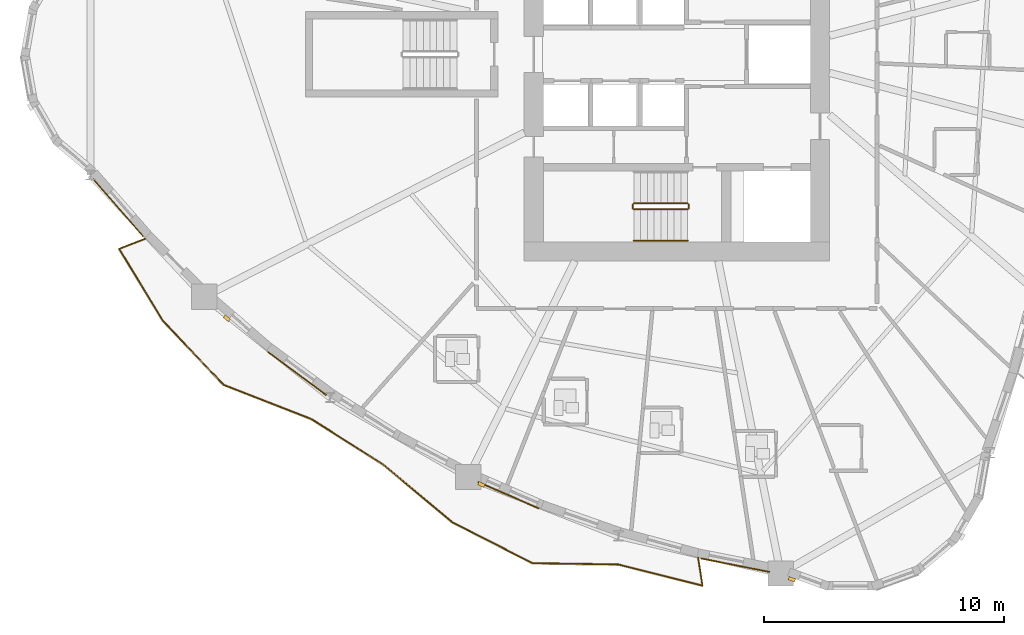
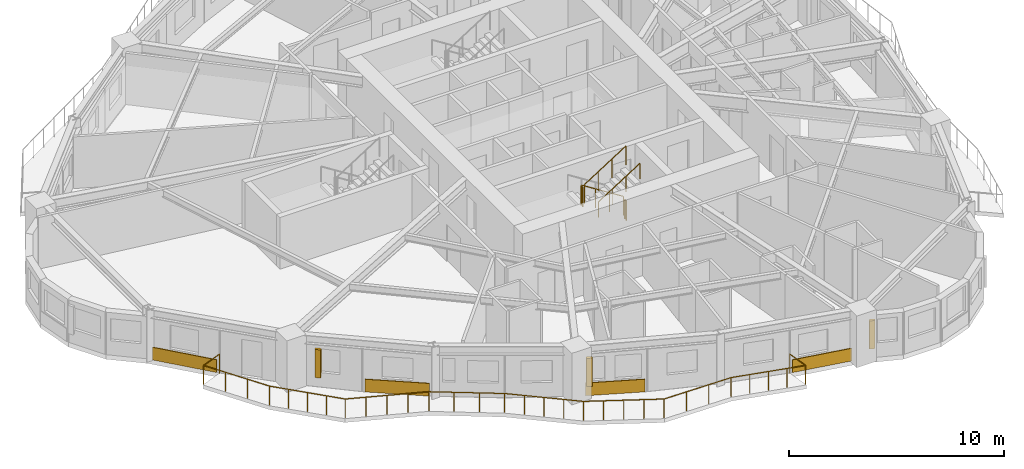
# One storey, part 10 of 14: 6 railings, 4 coverings, 3 shading devices.
"""IFC4 building model written with IfcOpenShell, lengths in metres."""

from ifc_helpers import new_model, si_unit, direction, frame, origin, origin_2d, place, context, subcontext, project, spatial, rectangle, circle, extrude, source, transform, mapped, material, layer, layer_set, type_object, element, save


model = new_model("IFC4")

# Units and contexts
model_context = context("Model", 3, precision=1e-05, world=origin(), true_north=direction((0.0, 1.0)))
body_context = subcontext(model_context, "Body", "Model", "MODEL_VIEW")
ifc_project = project(units=[si_unit("LENGTHUNIT", "METRE"), si_unit("AREAUNIT", "SQUARE_METRE"), si_unit("VOLUMEUNIT", "CUBIC_METRE"), si_unit("PLANEANGLEUNIT", "RADIAN"), si_unit("MASSUNIT", "GRAM", prefix="KILO")], contexts=[model_context])

# Site, building, storey
site_placement = place(None, origin())
site = spatial("IfcSite", under=ifc_project, at=site_placement, CompositionType="ELEMENT")
building_placement = place(site_placement, origin())
building = spatial("IfcBuilding", under=site, at=building_placement, Name="Qafzar Sky-Pleat Residences", CompositionType="ELEMENT")
storey_placement = place(building_placement, frame((0.0, 0.0, 23.800048828125)))
storey = spatial("IfcBuildingStorey", under=building, at=storey_placement, Name="L06", CompositionType="ELEMENT", Elevation=23.800048828125)

# Shading devices
ifc_material_1 = material(Name="Honed Riyadh limestone solar fin", Category="masonry")
ifc_layer_1 = layer(ifc_material_1, 0.139892578125)
ifc_layer_set_1 = layer_set([ifc_layer_1], Name="Honed Riyadh limestone solar fin")
shading_device_type = type_object("IfcShadingDeviceType", Name="SHD-FIN-STONE", PredefinedType="SHUTTER", material=ifc_layer_set_1)
shared_shape_1 = source(origin(), body_context, "Body", "SweptSolid", [
    extrude(rectangle(XDim=0.139892578125, YDim=0.280029296875, at=origin_2d()), origin(), (0.0, 0.0, 1.0), 1.60009765625),
])
for number, where, z_axis, x_axis, name in (
    (1, (11.630126953125, 15.019287109375, 0.599853515625), (0.0, 0.0, 1.0), (-0.65284819166, -0.757488771301, 0.0), "L06 Limestone Solar Fin 9"),
    (2, (22.21728515625, 8.102783203125, 0.599853515625), (0.0, 0.0, 1.0), (-0.398680095478, -0.917090061809, 0.0), "L06 Limestone Solar Fin 13"),
    (3, (35.13525390625, 4.159423828125, 0.599853515625), (0.0, 0.0, 1.0), (-0.342010122116, -0.939696268148, 0.0), "L06 Limestone Solar Fin 17"),
):
    element("IfcShadingDevice", number, at=place(storey_placement, frame(where, z_axis=z_axis, x_axis=x_axis)), inside=storey, type_object=shading_device_type, Name=name, PredefinedType="SHUTTER", context=body_context, shape_type="MappedRepresentation", body=[
        mapped(shared_shape_1, transform((0.0, 0.0, 0.0), x_axis=(1.0, 0.0, 0.0), y_axis=(0.0, 1.0, 0.0), z_axis=(0.0, 0.0, 1.0), scale=1.0)),
    ])

# Railing
ifc_material_2 = material(Name="Laminated glass and bronze steel balustrade", Category="steel")
railing_type_1 = type_object("IfcRailingType", Name="RAIL-BAL-1100", PredefinedType="BALUSTRADE", material=ifc_material_2)
shared_shape_2 = source(origin(), body_context, "Body", "SweptSolid", [
    extrude(circle(Radius=0.02392578125, at=origin_2d()), frame((0.0, 0.0, 1.076171875), z_axis=(-0.932230081544, -0.361866101017, 0.0), x_axis=(0.361866101017, -0.932230081544, 0.0)), (0.0, 0.0, 1.0), 1.177978515625),
    extrude(circle(Radius=0.02392578125, at=origin_2d()), frame((-1.09814453125, -0.42626953125, 1.076171875), z_axis=(0.519661726711, -0.854372102653, 0.0), x_axis=(0.854372102653, 0.519661726711, 0.0)), (0.0, 0.0, 1.0), 3.50341796875),
    extrude(circle(Radius=0.02392578125, at=origin_2d()), frame((0.722412109375, -3.41943359375, 1.076171875), z_axis=(0.687709565512, -0.725985918254, 0.0), x_axis=(0.725985918254, 0.687709565512, 0.0)), (0.0, 0.0, 1.0), 3.66748046875),
    extrude(circle(Radius=0.02392578125, at=origin_2d()), frame((3.24462890625, -6.08203125, 1.076171875), z_axis=(0.93144750127, -0.363875737552, 0.0), x_axis=(0.363875737552, 0.93144750127, 0.0)), (0.0, 0.0, 1.0), 3.9384765625),
    extrude(circle(Radius=0.02392578125, at=origin_2d()), frame((6.9130859375, -7.51513671875, 1.076171875), z_axis=(0.844773218855, -0.535124479636, 0.0), x_axis=(0.535124479636, 0.844773218855, 0.0)), (0.0, 0.0, 1.0), 3.52978515625),
    extrude(circle(Radius=0.02392578125, at=origin_2d()), frame((9.89501953125, -9.404052734375, 1.076171875), z_axis=(0.766833441336, -0.64184614453, 0.0), x_axis=(0.64184614453, 0.766833441336, 0.0)), (0.0, 0.0, 1.0), 3.72509765625),
    extrude(circle(Radius=0.02392578125, at=origin_2d()), frame((12.75146484375, -11.794921875, 1.076171875), z_axis=(0.890692057988, -0.454607146707, 0.0), x_axis=(0.454607146707, 0.890692057988, 0.0)), (0.0, 0.0, 1.0), 3.756591796875),
    extrude(circle(Radius=0.02392578125, at=origin_2d()), frame((16.097412109375, -13.502685546875, 1.076171875), z_axis=(0.999890937839, -0.014768629826, 0.0), x_axis=(0.014768629826, 0.999890937839, 0.0)), (0.0, 0.0, 1.0), 3.57080078125),
    extrude(circle(Radius=0.02392578125, at=origin_2d()), frame((19.667724609375, -13.555419921875, 1.076171875), z_axis=(0.969791216595, -0.243936459379, 0.0), x_axis=(0.243936459379, 0.969791216595, 0.0)), (0.0, 0.0, 1.0), 3.60791015625),
    extrude(circle(Radius=0.02392578125, at=origin_2d()), frame((23.166748046875, -14.435546875, 1.076171875), z_axis=(-0.152555587296, 0.988294891611, 0.0), x_axis=(-0.988294891611, -0.152555587296, 0.0)), (0.0, 0.0, 1.0), 1.177734375),
    extrude(circle(Radius=0.02099609375, at=origin_2d()), origin(), (0.0, 0.0, 1.0), 1.052001953125),
    extrude(circle(Radius=0.02099609375, at=origin_2d()), frame((-1.09814453125, -0.42626953125, 0.0)), (0.0, 0.0, 1.0), 1.052001953125),
    extrude(circle(Radius=0.02099609375, at=origin_2d()), frame((-0.4912109375, -1.424072265625, 0.0)), (0.0, 0.0, 1.0), 1.052001953125),
    extrude(circle(Radius=0.02099609375, at=origin_2d()), frame((0.115478515625, -2.421630859375, 0.0)), (0.0, 0.0, 1.0), 1.052001953125),
    extrude(circle(Radius=0.02099609375, at=origin_2d()), frame((0.722412109375, -3.41943359375, 0.0)), (0.0, 0.0, 1.0), 1.052001953125),
    extrude(circle(Radius=0.02099609375, at=origin_2d()), frame((1.35302734375, -4.0849609375, 0.0)), (0.0, 0.0, 1.0), 1.052001953125),
    extrude(circle(Radius=0.02099609375, at=origin_2d()), frame((1.9833984375, -4.750732421875, 0.0)), (0.0, 0.0, 1.0), 1.052001953125),
    extrude(circle(Radius=0.02099609375, at=origin_2d()), frame((2.614013671875, -5.41650390625, 0.0)), (0.0, 0.0, 1.0), 1.052001953125),
    extrude(circle(Radius=0.02099609375, at=origin_2d()), frame((3.24462890625, -6.08203125, 0.0)), (0.0, 0.0, 1.0), 1.052001953125),
    extrude(circle(Radius=0.02099609375, at=origin_2d()), frame((4.16162109375, -6.4404296875, 0.0)), (0.0, 0.0, 1.0), 1.052001953125),
    extrude(circle(Radius=0.02099609375, at=origin_2d()), frame((5.078857421875, -6.798583984375, 0.0)), (0.0, 0.0, 1.0), 1.052001953125),
    extrude(circle(Radius=0.02099609375, at=origin_2d()), frame((5.99609375, -7.15673828125, 0.0)), (0.0, 0.0, 1.0), 1.052001953125),
    extrude(circle(Radius=0.02099609375, at=origin_2d()), frame((6.9130859375, -7.51513671875, 0.0)), (0.0, 0.0, 1.0), 1.052001953125),
    extrude(circle(Radius=0.02099609375, at=origin_2d()), frame((7.906982421875, -8.144775390625, 0.0)), (0.0, 0.0, 1.0), 1.052001953125),
    extrude(circle(Radius=0.02099609375, at=origin_2d()), frame((8.901123046875, -8.7744140625, 0.0)), (0.0, 0.0, 1.0), 1.052001953125),
    extrude(circle(Radius=0.02099609375, at=origin_2d()), frame((9.89501953125, -9.404052734375, 0.0)), (0.0, 0.0, 1.0), 1.052001953125),
    extrude(circle(Radius=0.02099609375, at=origin_2d()), frame((10.609130859375, -10.001708984375, 0.0)), (0.0, 0.0, 1.0), 1.052001953125),
    extrude(circle(Radius=0.02099609375, at=origin_2d()), frame((11.3232421875, -10.599609375, 0.0)), (0.0, 0.0, 1.0), 1.052001953125),
    extrude(circle(Radius=0.02099609375, at=origin_2d()), frame((12.037353515625, -11.197265625, 0.0)), (0.0, 0.0, 1.0), 1.052001953125),
    extrude(circle(Radius=0.02099609375, at=origin_2d()), frame((12.75146484375, -11.794921875, 0.0)), (0.0, 0.0, 1.0), 1.052001953125),
    extrude(circle(Radius=0.02099609375, at=origin_2d()), frame((13.587890625, -12.221923828125, 0.0)), (0.0, 0.0, 1.0), 1.052001953125),
    extrude(circle(Radius=0.02099609375, at=origin_2d()), frame((14.42431640625, -12.64892578125, 0.0)), (0.0, 0.0, 1.0), 1.052001953125),
    extrude(circle(Radius=0.02099609375, at=origin_2d()), frame((15.260986328125, -13.07568359375, 0.0)), (0.0, 0.0, 1.0), 1.052001953125),
    extrude(circle(Radius=0.02099609375, at=origin_2d()), frame((16.097412109375, -13.502685546875, 0.0)), (0.0, 0.0, 1.0), 1.052001953125),
    extrude(circle(Radius=0.02099609375, at=origin_2d()), frame((17.28759765625, -13.520263671875, 0.0)), (0.0, 0.0, 1.0), 1.052001953125),
    extrude(circle(Radius=0.02099609375, at=origin_2d()), frame((18.4775390625, -13.537841796875, 0.0)), (0.0, 0.0, 1.0), 1.052001953125),
    extrude(circle(Radius=0.02099609375, at=origin_2d()), frame((19.667724609375, -13.555419921875, 0.0)), (0.0, 0.0, 1.0), 1.052001953125),
    extrude(circle(Radius=0.02099609375, at=origin_2d()), frame((20.54248046875, -13.775390625, 0.0)), (0.0, 0.0, 1.0), 1.052001953125),
    extrude(circle(Radius=0.02099609375, at=origin_2d()), frame((21.417236328125, -13.99560546875, 0.0)), (0.0, 0.0, 1.0), 1.052001953125),
    extrude(circle(Radius=0.02099609375, at=origin_2d()), frame((22.2919921875, -14.215576171875, 0.0)), (0.0, 0.0, 1.0), 1.052001953125),
    extrude(circle(Radius=0.02099609375, at=origin_2d()), frame((23.166748046875, -14.435546875, 0.0)), (0.0, 0.0, 1.0), 1.052001953125),
    extrude(circle(Radius=0.02099609375, at=origin_2d()), frame((22.987060546875, -13.271484375, 0.0)), (0.0, 0.0, 1.0), 1.052001953125),
])
railing_1_placement = place(storey_placement, frame((8.24853515625, 18.33251953125, 0.0)))
element("IfcRailing", 4, at=railing_1_placement, inside=storey, type_object=railing_type_1, Name="L06 Pleated Balcony 3 Balustrade", PredefinedType="BALUSTRADE", context=body_context, shape_type="MappedRepresentation", body=[
    mapped(shared_shape_2, transform((0.0, 0.0, 0.0), x_axis=(1.0, 0.0, 0.0), y_axis=(0.0, 1.0, 0.0), z_axis=(0.0, 0.0, 1.0), scale=1.0)),
])

# Coverings
ifc_material_3 = material(Name="Honed Riyadh Tuwaiq limestone cladding", Category="masonry")
ifc_layer_2 = layer(ifc_material_3, 0.044921875)
ifc_layer_set_2 = layer_set([ifc_layer_2], Name="Honed Riyadh Tuwaiq limestone cladding")
covering_type = type_object("IfcCoveringType", Name="COV-CLAD-STONE", PredefinedType="CLADDING", material=ifc_layer_set_2)
shared_shape_3 = source(origin(), body_context, "Body", "SweptSolid", [
    extrude(rectangle(XDim=3.17041015625, YDim=0.044921875, at=origin_2d()), origin(), (0.0, 0.0, 1.0), 0.719970703125),
])
covering_1_placement = place(storey_placement, frame((7.10986328125, 19.62060546875, 0.02001953125), z_axis=(0.0, 0.0, 1.0), x_axis=(0.65762184778, -0.753348196602, 0.0)))
element("IfcCovering", 5, at=covering_1_placement, inside=storey, type_object=covering_type, Name="L06 Riyadh Limestone Spandrel Cladding 7", PredefinedType="CLADDING", context=body_context, shape_type="MappedRepresentation", body=[
    mapped(shared_shape_3, transform((0.0, 0.0, 0.0), x_axis=(1.0, 0.0, 0.0), y_axis=(0.0, 1.0, 0.0), z_axis=(0.0, 0.0, 1.0), scale=1.0)),
])
shared_shape_4 = source(origin(), body_context, "Body", "SweptSolid", [
    extrude(rectangle(XDim=3.02001953125, YDim=0.044921875, at=origin_2d()), origin(), (0.0, 0.0, 1.0), 0.719970703125),
])
covering_2_placement = place(storey_placement, frame((14.55224609375, 12.71826171875, 0.02001953125), z_axis=(0.0, 0.0, 1.0), x_axis=(0.803806841776, -0.594890377393, 0.0)))
element("IfcCovering", 6, at=covering_2_placement, inside=storey, type_object=covering_type, Name="L06 Riyadh Limestone Spandrel Cladding 10", PredefinedType="CLADDING", context=body_context, shape_type="MappedRepresentation", body=[
    mapped(shared_shape_4, transform((0.0, 0.0, 0.0), x_axis=(1.0, 0.0, 0.0), y_axis=(0.0, 1.0, 0.0), z_axis=(0.0, 0.0, 1.0), scale=1.0)),
])
shared_shape_5 = source(origin(), body_context, "Body", "SweptSolid", [
    extrude(rectangle(XDim=2.76806640625, YDim=0.044921875, at=origin_2d()), origin(), (0.0, 0.0, 1.0), 0.719970703125),
])
covering_3_placement = place(storey_placement, frame((23.35009765625, 7.656982421875, 0.02001953125), z_axis=(0.0, 0.0, 1.0), x_axis=(0.917082462129, -0.398697576686, 0.0)))
element("IfcCovering", 7, at=covering_3_placement, inside=storey, type_object=covering_type, Name="L06 Riyadh Limestone Spandrel Cladding 13", PredefinedType="CLADDING", context=body_context, shape_type="MappedRepresentation", body=[
    mapped(shared_shape_5, transform((0.0, 0.0, 0.0), x_axis=(1.0, 0.0, 0.0), y_axis=(0.0, 1.0, 0.0), z_axis=(0.0, 0.0, 1.0), scale=1.0)),
])
shared_shape_6 = source(origin(), body_context, "Body", "SweptSolid", [
    extrude(rectangle(XDim=2.918212890625, YDim=0.044921875, at=origin_2d()), origin(), (0.0, 0.0, 1.0), 0.719970703125),
])
covering_4_placement = place(storey_placement, frame((32.783203125, 4.745849609375, 0.02001953125), z_axis=(0.0, 0.0, 1.0), x_axis=(0.981229963497, -0.192841278608, 0.0)))
element("IfcCovering", 8, at=covering_4_placement, inside=storey, type_object=covering_type, Name="L06 Riyadh Limestone Spandrel Cladding 16", PredefinedType="CLADDING", context=body_context, shape_type="MappedRepresentation", body=[
    mapped(shared_shape_6, transform((0.0, 0.0, 0.0), x_axis=(1.0, 0.0, 0.0), y_axis=(0.0, 1.0, 0.0), z_axis=(0.0, 0.0, 1.0), scale=1.0)),
])

# Railings
ifc_material_4 = material(Name="Painted Steel S355 stair guardrail", Category="steel")
railing_type_2 = type_object("IfcRailingType", Name="RAIL-STAIR-GUARD", PredefinedType="GUARDRAIL", material=ifc_material_4)
shared_shape_7 = source(origin(), body_context, "Body", "SweptSolid", [
    extrude(circle(Radius=0.02392578125, at=origin_2d()), frame((0.0, 0.0, 1.076171875), z_axis=(0.0, -1.0, 0.0), x_axis=(1.0, 0.0, 0.0)), (0.0, 0.0, 1.0), 0.14990234375),
    extrude(circle(Radius=0.02099609375, at=origin_2d()), origin(), (0.0, 0.0, 1.0), 1.052001953125),
    extrude(circle(Radius=0.02099609375, at=origin_2d()), frame((0.0, -0.14990234375, 0.0)), (0.0, 0.0, 1.0), 1.052001953125),
])
for number, where, name in (
    (9, (28.510009765625, 19.75, 1.599853515625), "L06 ST1 stair guard 2"),
    (10, (30.85009765625, 19.75, 0.0), "L06 ST1 stair guard 4"),
):
    element("IfcRailing", number, at=place(storey_placement, frame(where)), inside=storey, type_object=railing_type_2, Name=name, PredefinedType="GUARDRAIL", context=body_context, shape_type="MappedRepresentation", body=[
        mapped(shared_shape_7, transform((0.0, 0.0, 0.0), x_axis=(1.0, 0.0, 0.0), y_axis=(0.0, 1.0, 0.0), z_axis=(0.0, 0.0, 1.0), scale=1.0)),
    ])
shared_shape_8 = source(origin(), body_context, "Body", "SweptSolid", [
    extrude(circle(Radius=0.02392578125, at=origin_2d()), frame((0.0, 0.0, 1.076171875), z_axis=(-0.8442293374, 0.0, 0.53598211339), x_axis=(0.0, -1.0, 0.0)), (0.0, 0.0, 1.0), 2.6533203125),
    extrude(circle(Radius=0.02099609375, at=origin_2d()), origin(), (0.0, 0.0, 1.0), 1.052001953125),
    extrude(circle(Radius=0.02099609375, at=origin_2d()), frame((-0.74658203125, 0.0, 0.47412109375)), (0.0, 0.0, 1.0), 1.052001953125),
    extrude(circle(Radius=0.02099609375, at=origin_2d()), frame((-1.493408203125, 0.0, 0.947998046875)), (0.0, 0.0, 1.0), 1.052001953125),
    extrude(circle(Radius=0.02099609375, at=origin_2d()), frame((-2.239990234375, 0.0, 1.422119140625)), (0.0, 0.0, 1.0), 1.052001953125),
])
railing_2_placement = place(storey_placement, frame((30.800048828125, 19.800048828125, 0.177734375)))
element("IfcRailing", 11, at=railing_2_placement, inside=storey, type_object=railing_type_2, Name="L06 ST1 stair guard 1", PredefinedType="GUARDRAIL", context=body_context, shape_type="MappedRepresentation", body=[
    mapped(shared_shape_8, transform((0.0, 0.0, 0.0), x_axis=(1.0, 0.0, 0.0), y_axis=(0.0, 1.0, 0.0), z_axis=(0.0, 0.0, 1.0), scale=1.0)),
])
shared_shape_9 = source(origin(), body_context, "Body", "SweptSolid", [
    extrude(circle(Radius=0.02392578125, at=origin_2d()), frame((0.0, 0.0, 1.076171875), z_axis=(0.8442293374, 0.0, 0.53598211339), x_axis=(0.0, 1.0, 0.0)), (0.0, 0.0, 1.0), 2.6533203125),
    extrude(circle(Radius=0.02099609375, at=origin_2d()), origin(), (0.0, 0.0, 1.0), 1.052001953125),
    extrude(circle(Radius=0.02099609375, at=origin_2d()), frame((0.74658203125, 0.0, 0.47412109375)), (0.0, 0.0, 1.0), 1.052001953125),
    extrude(circle(Radius=0.02099609375, at=origin_2d()), frame((1.493408203125, 0.0, 0.947998046875)), (0.0, 0.0, 1.0), 1.052001953125),
    extrude(circle(Radius=0.02099609375, at=origin_2d()), frame((2.239990234375, 0.0, 1.422119140625)), (0.0, 0.0, 1.0), 1.052001953125),
])
railing_3_placement = place(storey_placement, frame((28.56005859375, 19.550048828125, 1.77783203125)))
element("IfcRailing", 12, at=railing_3_placement, inside=storey, type_object=railing_type_2, Name="L06 ST1 stair guard 3", PredefinedType="GUARDRAIL", context=body_context, shape_type="MappedRepresentation", body=[
    mapped(shared_shape_9, transform((0.0, 0.0, 0.0), x_axis=(1.0, 0.0, 0.0), y_axis=(0.0, 1.0, 0.0), z_axis=(0.0, 0.0, 1.0), scale=1.0)),
])
ifc_material_5 = material(Name="Brushed stainless steel handrail", Category="steel")
railing_type_3 = type_object("IfcRailingType", Name="RAIL-STAIR-HAND", PredefinedType="HANDRAIL", material=ifc_material_5)
shared_shape_10 = source(origin(), body_context, "Body", "SweptSolid", [
    extrude(circle(Radius=0.02392578125, at=origin_2d()), frame((0.0, 0.0, 0.8759765625), z_axis=(0.8442293374, 0.0, 0.53598211339), x_axis=(0.0, 1.0, 0.0)), (0.0, 0.0, 1.0), 2.6533203125),
    extrude(circle(Radius=0.02099609375, at=origin_2d()), origin(), (0.0, 0.0, 1.0), 0.851806640625),
    extrude(circle(Radius=0.02099609375, at=origin_2d()), frame((0.74658203125, 0.0, 0.47412109375)), (0.0, 0.0, 1.0), 0.851806640625),
    extrude(circle(Radius=0.02099609375, at=origin_2d()), frame((1.493408203125, 0.0, 0.947998046875)), (0.0, 0.0, 1.0), 0.851806640625),
    extrude(circle(Radius=0.02099609375, at=origin_2d()), frame((2.239990234375, 0.0, 1.422119140625)), (0.0, 0.0, 1.0), 0.851806640625),
])
railing_4_placement = place(storey_placement, frame((28.56005859375, 18.25, 1.77783203125)))
element("IfcRailing", 13, at=railing_4_placement, inside=storey, type_object=railing_type_3, Name="L06 ST1 stair handrail 2", PredefinedType="HANDRAIL", context=body_context, shape_type="MappedRepresentation", body=[
    mapped(shared_shape_10, transform((0.0, 0.0, 0.0), x_axis=(1.0, 0.0, 0.0), y_axis=(0.0, 1.0, 0.0), z_axis=(0.0, 0.0, 1.0), scale=1.0)),
])

save(model, "model.ifc")
